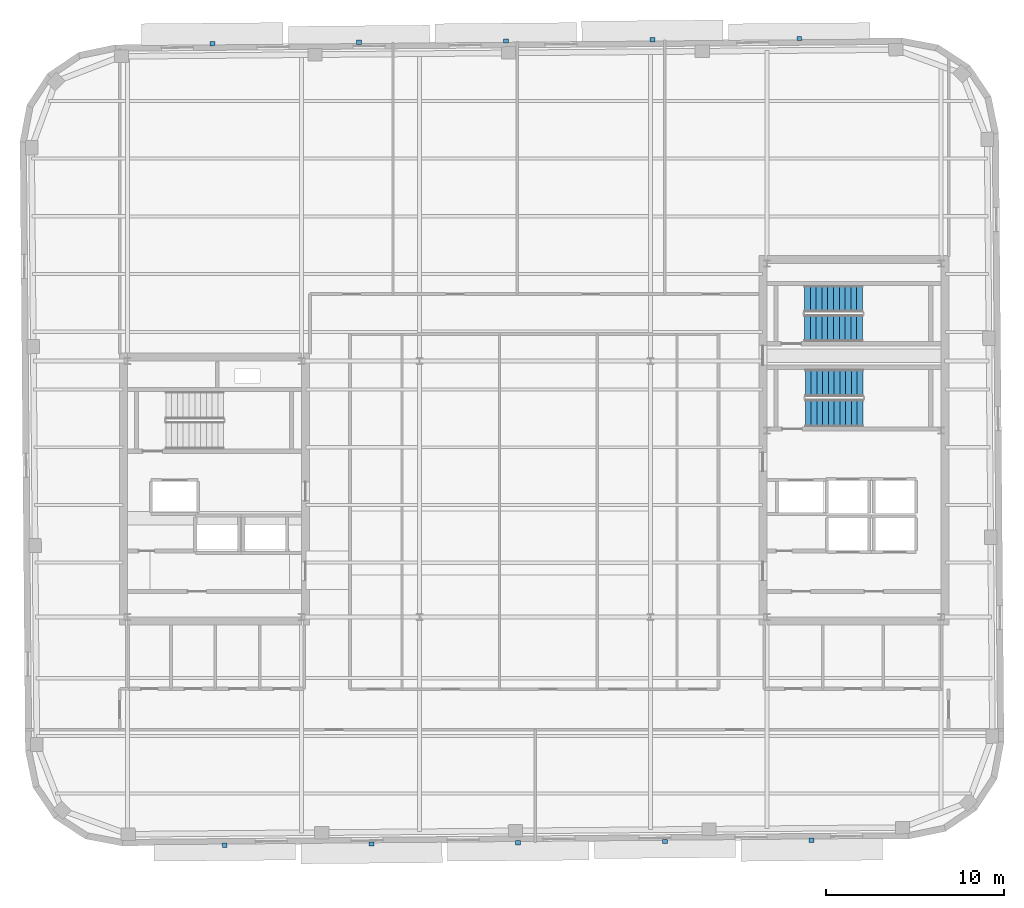
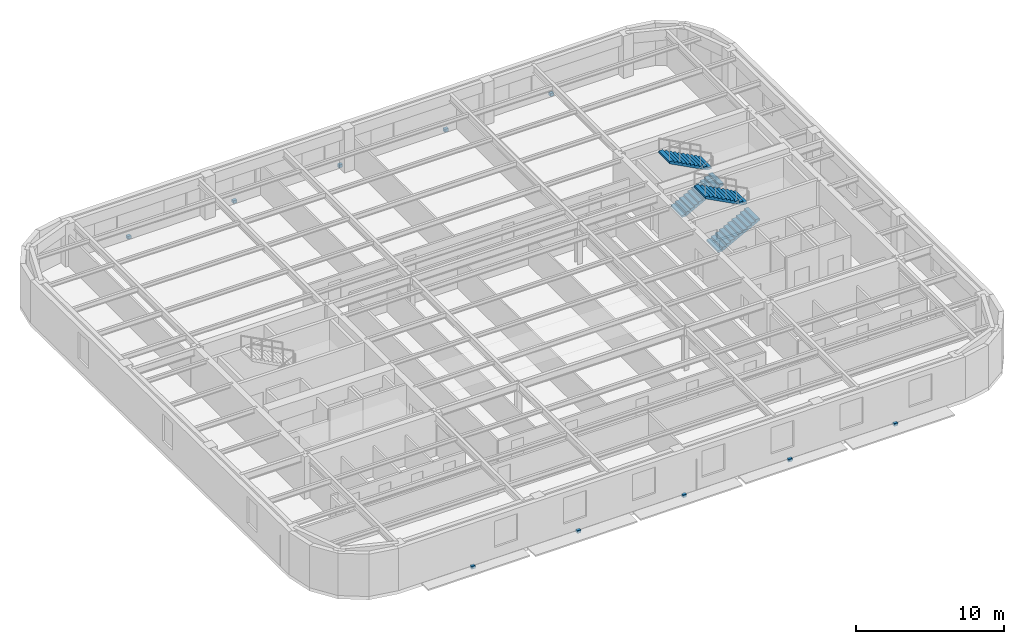
# One storey, part 10 of 14: 10 discrete accessories, 4 stair flights, 2 elements without a shape of their own.
"""IFC4 building model written with IfcOpenShell, lengths in metres."""

from ifc_helpers import new_model, si_unit, direction, frame, origin, origin_2d, place, context, subcontext, project, spatial, polyline, rectangle, outline, extrude, material, type_object, element, aggregate, save


model = new_model("IFC4")

# Units and contexts
model_context = context("Model", 3, precision=1e-05, world=origin(), true_north=direction((0.0, 1.0)))
body_context = subcontext(model_context, "Body", "Model", "MODEL_VIEW")
ifc_project = project(units=[si_unit("LENGTHUNIT", "METRE"), si_unit("AREAUNIT", "SQUARE_METRE"), si_unit("VOLUMEUNIT", "CUBIC_METRE"), si_unit("PLANEANGLEUNIT", "RADIAN"), si_unit("MASSUNIT", "GRAM", prefix="KILO")], contexts=[model_context])

# Site, building, storey
site_placement = place(None, origin())
site = spatial("IfcSite", under=ifc_project, at=site_placement, CompositionType="ELEMENT")
building_placement = place(site_placement, origin())
building = spatial("IfcBuilding", under=site, at=building_placement, Name="Kolvaren Arena Tower", CompositionType="ELEMENT")
storey_placement = place(building_placement, frame((0.0, 0.0, 297.39990234375)))
storey = spatial("IfcBuildingStorey", under=building, at=storey_placement, Name="L73", CompositionType="ELEMENT", Elevation=297.39990234375)

# Stair, stair flights
ifc_material_1 = material(Name="Concrete 45 MPa", Category="concrete")
stair_type_1 = type_object("IfcStairType", Name="STAIR-CORE-150", PredefinedType="HALF_TURN_STAIR", material=ifc_material_1)
stair_1_placement = place(storey_placement, origin())
stair_1 = element("IfcStair", 1, at=stair_1_placement, inside=storey, type_object=stair_type_1, Name="L73 ST-E2", PredefinedType="HALF_TURN_STAIR")
stair_flight_type_1 = type_object("IfcStairFlightType", Name="FLT-150", PredefinedType="STRAIGHT", material=ifc_material_1)
stair_flight_1_placement = place(storey_placement, frame((52.679931640625, 35.699951171875, 0.0), z_axis=(0.0, 0.0, 1.0), x_axis=(1.0, 0.0, 0.0)))
stair_flight_1 = element("IfcStairFlight", 2, at=stair_flight_1_placement, type_object=stair_flight_type_1, Name="ST-E2 flight 1", NumberOfRisers=11, NumberOfTreads=10, PredefinedType="STRAIGHT", RiserHeight=0.170454545, TreadLength=0.324, context=body_context, shape_type="SweptSolid", body=[
    extrude(outline(polyline([(0.0, 0.0), (0.0, 0.17041015625), (0.323974609375, 0.17041015625), (0.323974609375, 0.3408203125), (0.64794921875, 0.3408203125), (0.64794921875, 0.511474609375), (0.971923828125, 0.511474609375), (0.971923828125, 0.681884765625), (1.2958984375, 0.681884765625), (1.2958984375, 0.852294921875), (1.6201171875, 0.852294921875), (1.6201171875, 1.022705078125), (1.944091796875, 1.022705078125), (1.944091796875, 1.193115234375), (2.26806640625, 1.193115234375), (2.26806640625, 1.363525390625), (2.592041015625, 1.363525390625), (2.592041015625, 1.5341796875), (2.916015625, 1.5341796875), (2.916015625, 1.70458984375), (3.239990234375, 1.70458984375), (3.239990234375, 1.875), (3.239990234375, 1.53515625), (0.322021484375, 0.0), (0.0, 0.0)])), frame((0.0, 0.75, 0.0), z_axis=(0.0, -1.0, 0.0), x_axis=(1.0, 0.0, 0.0)), (0.0, 0.0, 1.0), 1.5),
])
stair_flight_2_placement = place(storey_placement, frame((55.919921875, 37.35009765625, 1.875), z_axis=(0.0, 0.0, 1.0), x_axis=(-1.0, 0.0, 0.0)))
stair_flight_2 = element("IfcStairFlight", 3, at=stair_flight_2_placement, type_object=stair_flight_type_1, Name="ST-E2 flight 2", NumberOfRisers=11, NumberOfTreads=10, PredefinedType="STRAIGHT", RiserHeight=0.170454545, TreadLength=0.324, context=body_context, shape_type="SweptSolid", body=[
    extrude(outline(polyline([(0.0, 0.0), (0.0, 0.17041015625), (0.323974609375, 0.17041015625), (0.323974609375, 0.3408203125), (0.64794921875, 0.3408203125), (0.64794921875, 0.511474609375), (0.971923828125, 0.511474609375), (0.971923828125, 0.681884765625), (1.2958984375, 0.681884765625), (1.2958984375, 0.852294921875), (1.6201171875, 0.852294921875), (1.6201171875, 1.022705078125), (1.944091796875, 1.022705078125), (1.944091796875, 1.193115234375), (2.26806640625, 1.193115234375), (2.26806640625, 1.363525390625), (2.592041015625, 1.363525390625), (2.592041015625, 1.5341796875), (2.916015625, 1.5341796875), (2.916015625, 1.70458984375), (3.239990234375, 1.70458984375), (3.239990234375, 1.875), (3.239990234375, 1.53515625), (0.322021484375, 0.0), (0.0, 0.0)])), frame((0.0, 0.75, 0.0), z_axis=(0.0, -1.0, 0.0), x_axis=(1.0, 0.0, 0.0)), (0.0, 0.0, 1.0), 1.5),
])
aggregate(stair_1, [stair_flight_1, stair_flight_2])

stair_type_2 = type_object("IfcStairType", Name="STAIR-CORE-165", PredefinedType="HALF_TURN_STAIR", material=ifc_material_1)
stair_2_placement = place(storey_placement, origin())
stair_2 = element("IfcStair", 4, at=stair_2_placement, inside=storey, type_object=stair_type_2, Name="L73 ST-E1", PredefinedType="HALF_TURN_STAIR")
stair_flight_type_2 = type_object("IfcStairFlightType", Name="FLT-165", PredefinedType="STRAIGHT", material=ifc_material_1)
stair_flight_3_placement = place(storey_placement, frame((52.719970703125, 30.919921875, 0.0), z_axis=(0.0, 0.0, 1.0), x_axis=(1.0, 0.0, 0.0)))
stair_flight_3 = element("IfcStairFlight", 5, at=stair_flight_3_placement, type_object=stair_flight_type_2, Name="ST-E1 flight 1", NumberOfRisers=11, NumberOfTreads=10, PredefinedType="STRAIGHT", RiserHeight=0.170454545, TreadLength=0.324, context=body_context, shape_type="SweptSolid", body=[
    extrude(outline(polyline([(0.0, 0.0), (0.0, 0.17041015625), (0.323974609375, 0.17041015625), (0.323974609375, 0.3408203125), (0.64794921875, 0.3408203125), (0.64794921875, 0.511474609375), (0.971923828125, 0.511474609375), (0.971923828125, 0.681884765625), (1.2958984375, 0.681884765625), (1.2958984375, 0.852294921875), (1.6201171875, 0.852294921875), (1.6201171875, 1.022705078125), (1.944091796875, 1.022705078125), (1.944091796875, 1.193115234375), (2.26806640625, 1.193115234375), (2.26806640625, 1.363525390625), (2.592041015625, 1.363525390625), (2.592041015625, 1.5341796875), (2.916015625, 1.5341796875), (2.916015625, 1.70458984375), (3.239990234375, 1.70458984375), (3.239990234375, 1.875), (3.239990234375, 1.53515625), (0.322021484375, 0.0), (0.0, 0.0)])), frame((0.0, 0.77001953125, 0.0), z_axis=(0.0, -1.0, 0.0), x_axis=(1.0, 0.0, 0.0)), (0.0, 0.0, 1.0), 1.5400390625),
])
stair_flight_4_placement = place(storey_placement, frame((55.9599609375, 32.610107421875, 1.875), z_axis=(0.0, 0.0, 1.0), x_axis=(-1.0, 0.0, 0.0)))
stair_flight_4 = element("IfcStairFlight", 6, at=stair_flight_4_placement, type_object=stair_flight_type_2, Name="ST-E1 flight 2", NumberOfRisers=11, NumberOfTreads=10, PredefinedType="STRAIGHT", RiserHeight=0.170454545, TreadLength=0.324, context=body_context, shape_type="SweptSolid", body=[
    extrude(outline(polyline([(0.0, 0.0), (0.0, 0.17041015625), (0.323974609375, 0.17041015625), (0.323974609375, 0.3408203125), (0.64794921875, 0.3408203125), (0.64794921875, 0.511474609375), (0.971923828125, 0.511474609375), (0.971923828125, 0.681884765625), (1.2958984375, 0.681884765625), (1.2958984375, 0.852294921875), (1.6201171875, 0.852294921875), (1.6201171875, 1.022705078125), (1.944091796875, 1.022705078125), (1.944091796875, 1.193115234375), (2.26806640625, 1.193115234375), (2.26806640625, 1.363525390625), (2.592041015625, 1.363525390625), (2.592041015625, 1.5341796875), (2.916015625, 1.5341796875), (2.916015625, 1.70458984375), (3.239990234375, 1.70458984375), (3.239990234375, 1.875), (3.239990234375, 1.53515625), (0.322021484375, 0.0), (0.0, 0.0)])), frame((0.0, 0.77001953125, 0.0), z_axis=(0.0, -1.0, 0.0), x_axis=(1.0, 0.0, 0.0)), (0.0, 0.0, 1.0), 1.5400390625),
])
aggregate(stair_2, [stair_flight_3, stair_flight_4])

# Discrete accessories
ifc_material_2 = material(Name="Stainless steel facade support bracket", Category="steel")
discrete_accessory_type = type_object("IfcDiscreteAccessoryType", Name="ACC-BRKT-1", PredefinedType="BRACKET", material=ifc_material_2)
for number, where, z_axis, x_axis, name in (
    (7, (19.333740234375, 51.7236328125, -0.1796875), (0.0, 0.0, 1.0), (0.999961923064, 0.008726535498, 0.0), "Sunshade Support Bracket (L73)"),
    (8, (27.593505859375, 51.795654296875, -0.1796875), (0.0, 0.0, 1.0), (0.999961923064, 0.008726535498, 0.0), "Sunshade Support Bracket (L73)"),
    (9, (35.85302734375, 51.867919921875, -0.1796875), (0.0, 0.0, 1.0), (0.999961923064, 0.008726535498, 0.0), "Sunshade Support Bracket (L73)"),
    (10, (44.11279296875, 51.93994140625, -0.1796875), (0.0, 0.0, 1.0), (0.999961923064, 0.008726535498, 0.0), "Sunshade Support Bracket (L73)"),
    (11, (52.372314453125, 52.011962890625, -0.1796875), (0.0, 0.0, 1.0), (0.999961923064, 0.008726535498, 0.0), "Sunshade Support Bracket (L73)"),
    (12, (53.06640625, 6.87646484375, -0.1796875), (0.0, 0.0, 1.0), (-0.999961923064, -0.008726535498, 0.0), "Sunshade Support Bracket (L73)"),
    (13, (44.806640625, 6.80419921875, -0.1796875), (0.0, 0.0, 1.0), (-0.999961923064, -0.008726535498, 0.0), "Sunshade Support Bracket (L73)"),
    (14, (36.546875, 6.732177734375, -0.1796875), (0.0, 0.0, 1.0), (-0.999961923064, -0.008726535498, 0.0), "Sunshade Support Bracket (L73)"),
    (15, (28.287109375, 6.66015625, -0.1796875), (0.0, 0.0, 1.0), (-0.999961923064, -0.008726535498, 0.0), "Sunshade Support Bracket (L73)"),
    (16, (20.027587890625, 6.587890625, -0.1796875), (0.0, 0.0, 1.0), (-0.999961923064, -0.008726535498, 0.0), "Sunshade Support Bracket (L73)"),
):
    element("IfcDiscreteAccessory", number, at=place(storey_placement, frame(where, z_axis=z_axis, x_axis=x_axis)), inside=storey, type_object=discrete_accessory_type, Name=name, PredefinedType="BRACKET", context=body_context, shape_type="SweptSolid", body=[
        extrude(rectangle(XDim=0.280029296875, YDim=0.239990234375, at=origin_2d()), origin(), (0.0, 0.0, 1.0), 0.239990234375),
    ])

save(model, "model.ifc")
